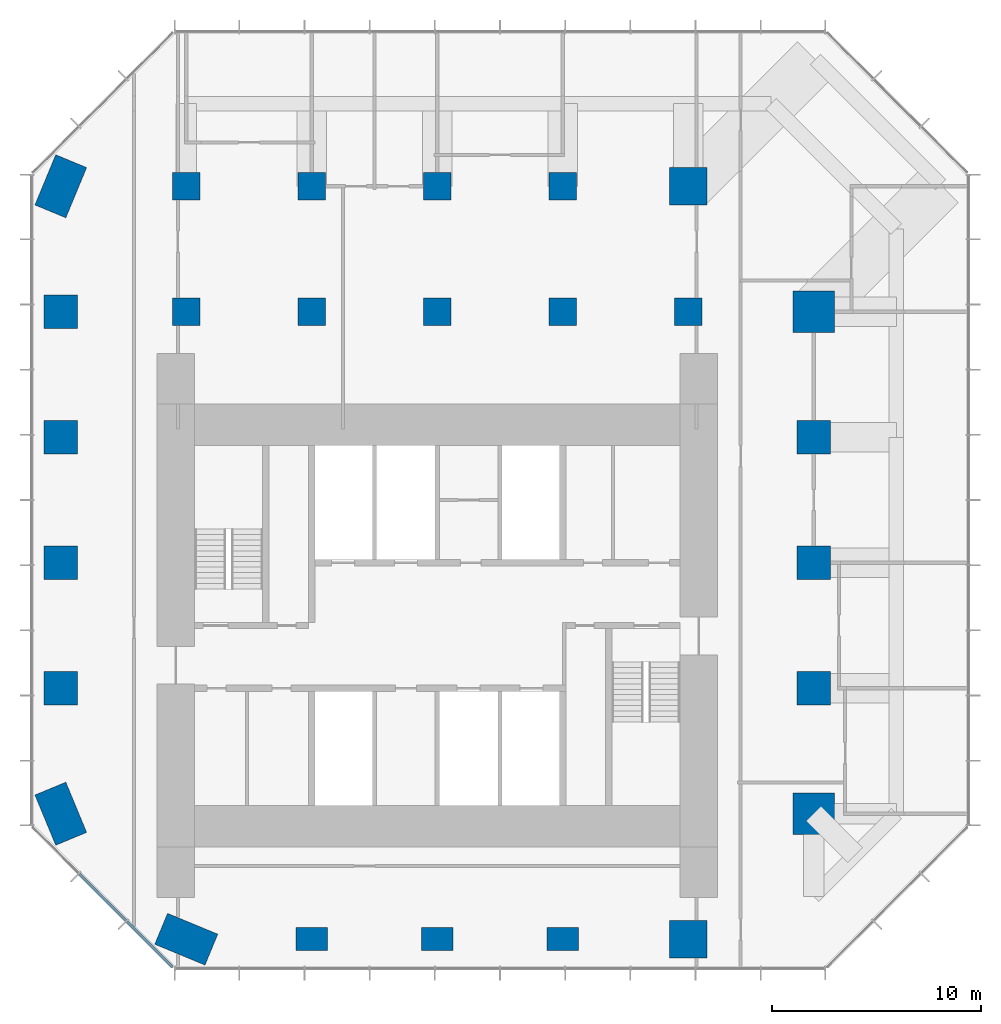
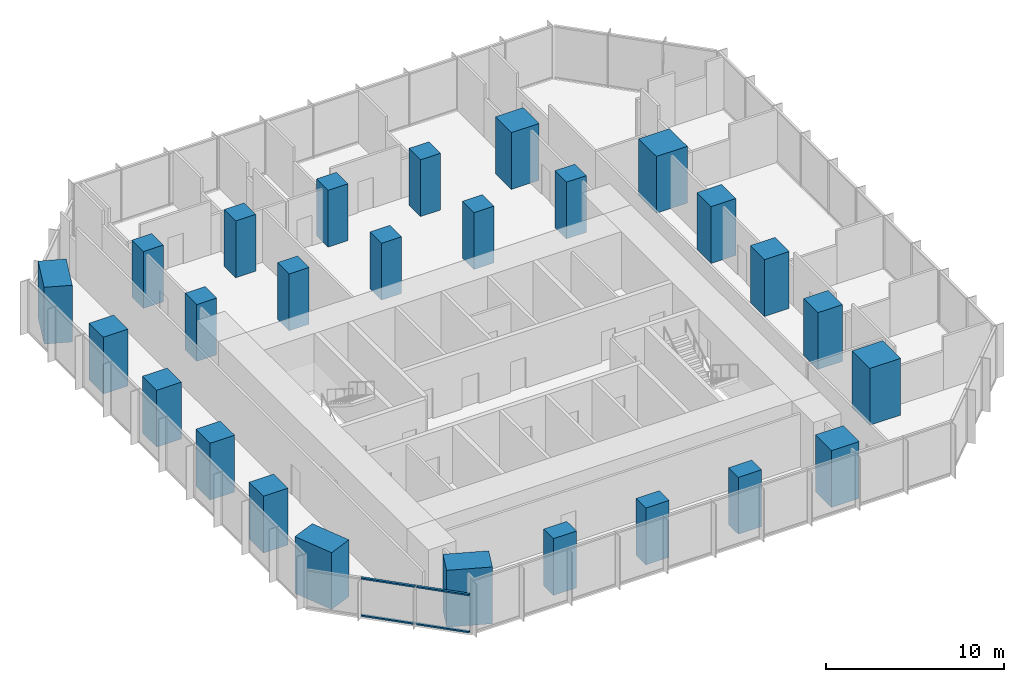
# One storey, part 1 of 11: 26 columns, 4 members, 1 element without a shape of its own.
"""IFC4 building model written with IfcOpenShell, lengths in metres."""

from ifc_helpers import new_model, si_unit, direction, frame, origin, origin_2d, place, context, subcontext, project, spatial, rectangle, extrude, material, layer, layer_set, material_profile, profile_set, type_object, element, aggregate, save


model = new_model("IFC4")

# Units and contexts
model_context = context("Model", 3, precision=1e-05, world=origin(), true_north=direction((0.0, 1.0)))
body_context = subcontext(model_context, "Body", "Model", "MODEL_VIEW")
ifc_project = project(units=[si_unit("LENGTHUNIT", "METRE"), si_unit("AREAUNIT", "SQUARE_METRE"), si_unit("VOLUMEUNIT", "CUBIC_METRE"), si_unit("PLANEANGLEUNIT", "RADIAN"), si_unit("MASSUNIT", "GRAM", prefix="KILO")], contexts=[model_context])

# Site, building, storey
site_placement = place(None, origin())
site = spatial("IfcSite", under=ifc_project, at=site_placement, CompositionType="ELEMENT")
building_placement = place(site_placement, origin())
building = spatial("IfcBuilding", under=site, at=building_placement, Name="Highveld Stack Headquarters", CompositionType="ELEMENT")
storey_placement = place(building_placement, frame((0.0, 0.0, 185.0)))
storey = spatial("IfcBuildingStorey", under=building, at=storey_placement, Name="L45", CompositionType="ELEMENT", Elevation=185.0)

# Columns
ifc_material_1 = material(Name="Concrete C60/75", Category="concrete")
ifc_material_profile_1 = material_profile(ifc_material_1, rectangle(XDim=1.300048828125, YDim=1.300048828125, at=origin_2d()), Name="RC 1300x1300")
ifc_profile_set_1 = profile_set([ifc_material_profile_1], Name="Concrete C60/75")
column_type_1 = type_object("IfcColumnType", Name="COLUMN RC 1300x1300 C60/75", PredefinedType="COLUMN", material=ifc_profile_set_1)
for number, where, z_axis, x_axis, name in (
    (1, (-6.0, 18.0, 0.0), (0.0, 0.0, 1.0), (1.0, 0.0, 0.0), "Column 5/H L45"),
    (2, (-6.0, 24.0, 0.0), (0.0, 0.0, 1.0), (1.0, 0.0, 0.0), "Column 5/J L45"),
    (3, (0.0, 18.0, 0.0), (0.0, 0.0, 1.0), (1.0, 0.0, 0.0), "Column 6/H L45"),
    (4, (0.0, 24.0, 0.0), (0.0, 0.0, 1.0), (1.0, 0.0, 0.0), "Column 6/J L45"),
    (5, (6.0, 18.0, 0.0), (0.0, 0.0, 1.0), (1.0, 0.0, 0.0), "Column 7/H L45"),
    (6, (6.0, 24.0, 0.0), (0.0, 0.0, 1.0), (1.0, 0.0, 0.0), "Column 7/J L45"),
    (7, (12.0, 18.0, 0.0), (0.0, 0.0, 1.0), (1.0, 0.0, 0.0), "Column 8/H L45"),
    (8, (12.0, 24.0, 0.0), (0.0, 0.0, 1.0), (1.0, 0.0, 0.0), "Column 8/J L45"),
    (9, (18.0, 18.0, 0.0), (0.0, 0.0, 1.0), (1.0, 0.0, 0.0), "Column 9/H L45"),
):
    element("IfcColumn", number, at=place(storey_placement, frame(where, z_axis=z_axis, x_axis=x_axis)), inside=storey, type_object=column_type_1, Name=name, PredefinedType="COLUMN", context=body_context, shape_type="SweptSolid", body=[
        extrude(rectangle(XDim=1.300048828125, YDim=1.300048828125, at=origin_2d()), origin(), (0.0, 0.0, 1.0), 3.89990234375),
    ])
ifc_material_2 = material(Name="Concrete C60/75", Category="concrete")
ifc_material_profile_2 = material_profile(ifc_material_2, rectangle(XDim=1.5, YDim=1.10009765625, at=origin_2d()), Name="RC 1500x1100")
ifc_profile_set_2 = profile_set([ifc_material_profile_2], Name="Concrete C60/75")
column_type_2 = type_object("IfcColumnType", Name="COLUMN RC 1500x1100 C60/75", PredefinedType="COLUMN", material=ifc_profile_set_2)
for number, where, z_axis, x_axis, name in (
    (10, (0.0, -12.0, 0.0), (0.0, 0.0, 1.0), (1.0, 0.0, 0.0), "Column 6/C L45"),
    (11, (6.0, -12.0, 0.0), (0.0, 0.0, 1.0), (1.0, 0.0, 0.0), "Column 7/C L45"),
    (12, (12.0, -12.0, 0.0), (0.0, 0.0, 1.0), (1.0, 0.0, 0.0), "Column 8/C L45"),
):
    element("IfcColumn", number, at=place(storey_placement, frame(where, z_axis=z_axis, x_axis=x_axis)), inside=storey, type_object=column_type_2, Name=name, PredefinedType="COLUMN", context=body_context, shape_type="SweptSolid", body=[
        extrude(rectangle(XDim=1.5, YDim=1.10009765625, at=origin_2d()), origin(), (0.0, 0.0, 1.0), 3.89990234375),
    ])
ifc_material_3 = material(Name="Concrete C60/75", Category="concrete")
ifc_material_profile_3 = material_profile(ifc_material_3, rectangle(XDim=1.60009765625, YDim=1.60009765625, at=origin_2d()), Name="RC 1600x1600")
ifc_profile_set_3 = profile_set([ifc_material_profile_3], Name="Concrete C60/75")
column_type_3 = type_object("IfcColumnType", Name="COLUMN RC 1600x1600 C60/75", PredefinedType="COLUMN", material=ifc_profile_set_3)
for number, where, z_axis, x_axis, name in (
    (13, (-12.0, 0.0, 0.0), (0.0, 0.0, 1.0), (1.0, 0.0, 0.0), "Column 4/E L45"),
    (14, (-12.0, 6.0, 0.0), (0.0, 0.0, 1.0), (1.0, 0.0, 0.0), "Column 4/F L45"),
    (15, (-12.0, 12.0, 0.0), (0.0, 0.0, 1.0), (1.0, 0.0, 0.0), "Column 4/G L45"),
    (16, (-12.0, 18.0, 0.0), (0.0, 0.0, 1.0), (1.0, 0.0, 0.0), "Column 4/H L45"),
    (17, (24.0, 0.0, 0.0), (0.0, 0.0, 1.0), (1.0, 0.0, 0.0), "Column 10/E L45"),
    (18, (24.0, 6.0, 0.0), (0.0, 0.0, 1.0), (1.0, 0.0, 0.0), "Column 10/F L45"),
    (19, (24.0, 12.0, 0.0), (0.0, 0.0, 1.0), (1.0, 0.0, 0.0), "Column 10/G L45"),
):
    element("IfcColumn", number, at=place(storey_placement, frame(where, z_axis=z_axis, x_axis=x_axis)), inside=storey, type_object=column_type_3, Name=name, PredefinedType="COLUMN", context=body_context, shape_type="SweptSolid", body=[
        extrude(rectangle(XDim=1.60009765625, YDim=1.60009765625, at=origin_2d()), origin(), (0.0, 0.0, 1.0), 3.89990234375),
    ])
ifc_material_4 = material(Name="Concrete C60/75", Category="concrete")
ifc_material_profile_4 = material_profile(ifc_material_4, rectangle(XDim=1.800048828125, YDim=1.800048828125, at=origin_2d()), Name="RC 1800x1800")
ifc_profile_set_4 = profile_set([ifc_material_profile_4], Name="Concrete C60/75")
column_type_4 = type_object("IfcColumnType", Name="COLUMN RC 1800x1800 C60/75", PredefinedType="COLUMN", material=ifc_profile_set_4)
for number, where, z_axis, x_axis, name in (
    (20, (18.0, -12.0, 0.0), (0.0, 0.0, 1.0), (1.0, 0.0, 0.0), "Column 9/C L45"),
    (21, (18.0, 24.0, 0.0), (0.0, 0.0, 1.0), (1.0, 0.0, 0.0), "Column 9/J L45"),
):
    element("IfcColumn", number, at=place(storey_placement, frame(where, z_axis=z_axis, x_axis=x_axis)), inside=storey, type_object=column_type_4, Name=name, PredefinedType="COLUMN", context=body_context, shape_type="SweptSolid", body=[
        extrude(rectangle(XDim=1.800048828125, YDim=1.800048828125, at=origin_2d()), origin(), (0.0, 0.0, 1.0), 3.89990234375),
    ])
ifc_material_5 = material(Name="Concrete C60/75", Category="concrete")
ifc_material_profile_5 = material_profile(ifc_material_5, rectangle(XDim=2.0, YDim=2.0, at=origin_2d()), Name="RC 2000x2000")
ifc_profile_set_5 = profile_set([ifc_material_profile_5], Name="Concrete C60/75")
column_type_5 = type_object("IfcColumnType", Name="COLUMN RC 2000x2000 C60/75", PredefinedType="COLUMN", material=ifc_profile_set_5)
for number, where, z_axis, x_axis, name in (
    (22, (24.0, -6.0, 0.0), (0.0, 0.0, 1.0), (1.0, 0.0, 0.0), "Column 10/D L45"),
    (23, (24.0, 18.0, 0.0), (0.0, 0.0, 1.0), (1.0, 0.0, 0.0), "Column 10/H L45"),
):
    element("IfcColumn", number, at=place(storey_placement, frame(where, z_axis=z_axis, x_axis=x_axis)), inside=storey, type_object=column_type_5, Name=name, PredefinedType="COLUMN", context=body_context, shape_type="SweptSolid", body=[
        extrude(rectangle(XDim=2.0, YDim=2.0, at=origin_2d()), origin(), (0.0, 0.0, 1.0), 3.89990234375),
    ])
ifc_material_6 = material(Name="Concrete C60/75", Category="concrete")
ifc_material_profile_6 = material_profile(ifc_material_6, rectangle(XDim=2.60009765625, YDim=1.60009765625, at=origin_2d()), Name="RC 2600x1600")
ifc_profile_set_6 = profile_set([ifc_material_profile_6], Name="Concrete C60/75")
column_type_6 = type_object("IfcColumnType", Name="COLUMN RC 2600x1600 C60/75", PredefinedType="COLUMN", material=ifc_profile_set_6)
for number, where, z_axis, x_axis, name in (
    (24, (-12.0, -6.0, 0.0), (0.0, 0.0, 1.0), (-0.382683432365, 0.923879532511, 0.0), "Column 4/D L45"),
    (25, (-12.0, 24.0, 0.0), (0.0, 0.0, 1.0), (0.382683432365, 0.923879532511, 0.0), "Column 4/J L45"),
    (26, (-6.0, -12.0, 0.0), (0.0, 0.0, 1.0), (-0.923879532511, 0.382683432365, 0.0), "Column 5/C L45"),
):
    element("IfcColumn", number, at=place(storey_placement, frame(where, z_axis=z_axis, x_axis=x_axis)), inside=storey, type_object=column_type_6, Name=name, PredefinedType="COLUMN", context=body_context, shape_type="SweptSolid", body=[
        extrude(rectangle(XDim=2.60009765625, YDim=1.60009765625, at=origin_2d()), origin(), (0.0, 0.0, 1.0), 3.89990234375),
    ])

# Curtain wall, members
ifc_material_7 = material(Name="Aluminium bronze anodised", Category="aluminium")
ifc_layer = layer(ifc_material_7, 0.199951171875)
ifc_layer_set = layer_set([ifc_layer], Name="Aluminium bronze anodised")
curtain_wall_type = type_object("IfcCurtainWallType", Name="CW2 TOWER CHAMFER UNITISED CURTAIN WALL", PredefinedType="NOTDEFINED", material=ifc_layer_set)
curtain_wall_placement = place(storey_placement, origin())
curtain_wall = element("IfcCurtainWall", 27, at=curtain_wall_placement, inside=storey, type_object=curtain_wall_type, Name="Curtain wall CW2 L45 SW", PredefinedType="NOTDEFINED")
ifc_material_8 = material(Name="Aluminium bronze anodised", Category="aluminium")
ifc_material_profile_7 = material_profile(ifc_material_8, rectangle(XDim=0.14990234375, YDim=0.10009765625, at=origin_2d()), Name="CW2 TRANSOM 150x100")
ifc_profile_set_7 = profile_set([ifc_material_profile_7], Name="Aluminium bronze anodised")
member_type = type_object("IfcMemberType", Name="CW2 STACK TRANSOM 150x100", PredefinedType="USERDEFINED", material=ifc_profile_set_7)
member_1_placement = place(storey_placement, frame((-11.103759765625, -8.876220703125, 0.050048828125), z_axis=(0.707106781187, -0.707106781187, 0.0), x_axis=(0.707106781187, 0.707106781187, 0.0)))
member_1 = element("IfcMember", 28, at=member_1_placement, type_object=member_type, Name="CW2 transom L45 2.1", ObjectType="TRANSOM", PredefinedType="USERDEFINED", context=body_context, shape_type="SweptSolid", body=[
    extrude(rectangle(XDim=0.14990234375, YDim=0.10009765625, at=origin_2d()), origin(), (0.0, 0.0, 1.0), 3.150146484375),
])
member_2_placement = place(storey_placement, frame((-11.103759765625, -8.876220703125, 2.60009765625), z_axis=(0.707106781187, -0.707106781187, 0.0), x_axis=(0.707106781187, 0.707106781187, 0.0)))
member_2 = element("IfcMember", 29, at=member_2_placement, type_object=member_type, Name="CW2 transom L45 2.2", ObjectType="TRANSOM", PredefinedType="USERDEFINED", context=body_context, shape_type="SweptSolid", body=[
    extrude(rectangle(XDim=0.14990234375, YDim=0.10009765625, at=origin_2d()), origin(), (0.0, 0.0, 1.0), 3.150146484375),
])
member_3_placement = place(storey_placement, frame((-8.830322265625, -11.149658203125, 0.050048828125), z_axis=(0.707106781187, -0.707106781187, 0.0), x_axis=(0.707106781187, 0.707106781187, 0.0)))
member_3 = element("IfcMember", 30, at=member_3_placement, type_object=member_type, Name="CW2 transom L45 3.1", ObjectType="TRANSOM", PredefinedType="USERDEFINED", context=body_context, shape_type="SweptSolid", body=[
    extrude(rectangle(XDim=0.14990234375, YDim=0.10009765625, at=origin_2d()), origin(), (0.0, 0.0, 1.0), 3.08251953125),
])
member_4_placement = place(storey_placement, frame((-8.830322265625, -11.149658203125, 2.60009765625), z_axis=(0.707106781187, -0.707106781187, 0.0), x_axis=(0.707106781187, 0.707106781187, 0.0)))
member_4 = element("IfcMember", 31, at=member_4_placement, type_object=member_type, Name="CW2 transom L45 3.2", ObjectType="TRANSOM", PredefinedType="USERDEFINED", context=body_context, shape_type="SweptSolid", body=[
    extrude(rectangle(XDim=0.14990234375, YDim=0.10009765625, at=origin_2d()), origin(), (0.0, 0.0, 1.0), 3.08251953125),
])
aggregate(curtain_wall, [member_1, member_2, member_3, member_4])

save(model, "model.ifc")
